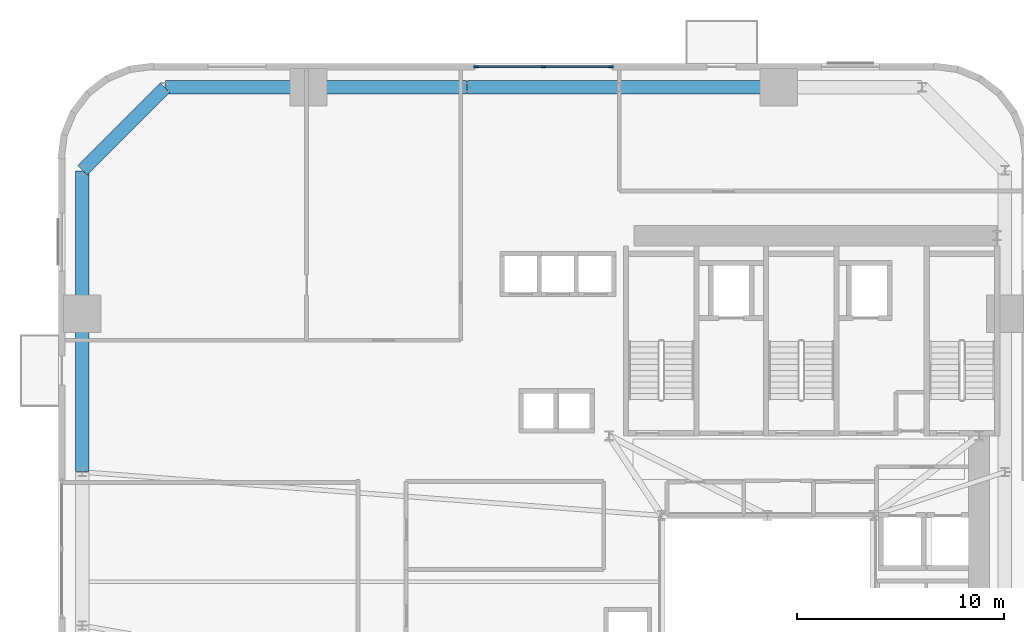
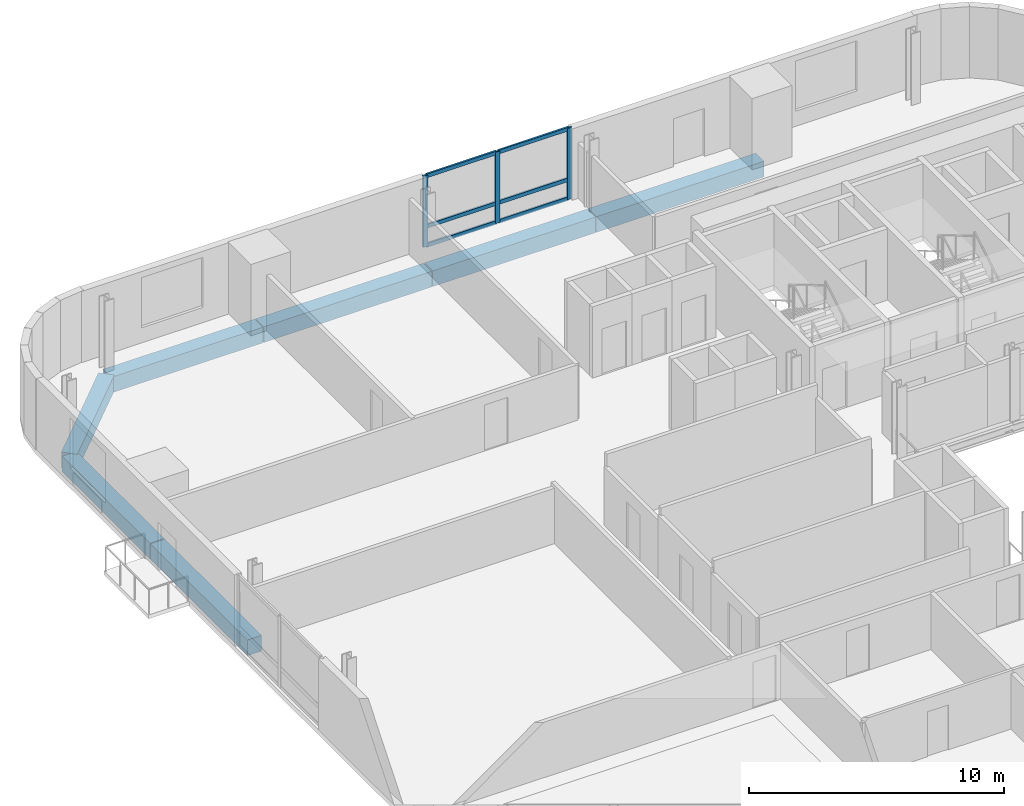
# One storey, part 4 of 11: 9 members, 7 beams, 1 element without a shape of its own.
"""IFC4 building model written with IfcOpenShell, lengths in metres."""

from ifc_helpers import new_model, si_unit, direction, frame, origin, origin_2d, place, context, subcontext, project, spatial, rectangle, extrude, source, transform, mapped, material, material_profile, profile_set, type_object, element, aggregate, save


model = new_model("IFC4")

# Units and contexts
model_context = context("Model", 3, precision=1e-05, world=origin(), true_north=direction((0.0, 1.0)))
body_context = subcontext(model_context, "Body", "Model", "MODEL_VIEW")
ifc_project = project(units=[si_unit("LENGTHUNIT", "METRE"), si_unit("AREAUNIT", "SQUARE_METRE"), si_unit("VOLUMEUNIT", "CUBIC_METRE"), si_unit("PLANEANGLEUNIT", "RADIAN"), si_unit("MASSUNIT", "GRAM", prefix="KILO")], contexts=[model_context])

# Site, building, storey
site_placement = place(None, origin())
site = spatial("IfcSite", under=ifc_project, at=site_placement, CompositionType="ELEMENT")
building_placement = place(site_placement, origin())
building = spatial("IfcBuilding", under=site, at=building_placement, Name="Vardaveli Station Tower", CompositionType="ELEMENT")
storey_placement = place(building_placement, frame((0.0, 0.0, 78.699951171875)))
storey = spatial("IfcBuildingStorey", under=building, at=storey_placement, Name="L20", CompositionType="ELEMENT", Elevation=78.699951171875)

# Beams
ifc_material_1 = material(Name="Precast concrete C45/55", Category="concrete")
ifc_material_profile_1 = material_profile(ifc_material_1, rectangle(XDim=0.64990234375, YDim=0.75, at=origin_2d()), Name="LPB 650x750")
ifc_profile_set_1 = profile_set([ifc_material_profile_1], Name="Precast concrete C45/55")
beam_type = type_object("IfcBeamType", Name="BM-LPB-750", PredefinedType="BEAM", material=ifc_profile_set_1)
shared_shape_1 = source(origin(), body_context, "Body", "SweptSolid", [
    extrude(rectangle(XDim=0.64990234375, YDim=0.75, at=origin_2d()), origin(), (0.0, 0.0, 1.0), 7.60009765625),
])
for number, where, z_axis, x_axis, name in (
    (1, (36.820068359375, 47.449951171875, -0.614990234375), (-1.0, 0.0, 0.0), (0.0, -1.0, 0.0), "RBM-L20-13"),
    (2, (21.780029296875, 47.449951171875, -0.614990234375), (-1.0, 0.0, 0.0), (0.0, -1.0, 0.0), "RBM-L20-15"),
    (3, (3.25, 36.52001953125, -0.614990234375), (0.0, -1.0, 0.0), (1.0, 0.0, 0.0), "RBM-L20-19"),
):
    element("IfcBeam", number, at=place(storey_placement, frame(where, z_axis=z_axis, x_axis=x_axis)), inside=storey, type_object=beam_type, Name=name, PredefinedType="BEAM", context=body_context, shape_type="MappedRepresentation", body=[
        mapped(shared_shape_1, transform((0.0, 0.0, 0.0), scale=1.0)),
    ])
shared_shape_2 = source(origin(), body_context, "Body", "SweptSolid", [
    extrude(rectangle(XDim=0.64990234375, YDim=0.75, at=origin_2d()), origin(), (0.0, 0.0, 1.0), 7.35986328125),
])
beam_1_placement = place(storey_placement, frame((29.179931640625, 47.449951171875, -0.614990234375), z_axis=(-1.0, 0.0, 0.0), x_axis=(0.0, -1.0, 0.0)))
element("IfcBeam", 4, at=beam_1_placement, inside=storey, type_object=beam_type, Name="RBM-L20-14", PredefinedType="BEAM", context=body_context, shape_type="MappedRepresentation", body=[
    mapped(shared_shape_2, transform((0.0, 0.0, 0.0), scale=1.0)),
])
shared_shape_3 = source(origin(), body_context, "Body", "SweptSolid", [
    extrude(rectangle(XDim=0.64990234375, YDim=0.75, at=origin_2d()), origin(), (0.0, 0.0, 1.0), 6.869873046875),
])
for number, where, z_axis, x_axis, name in (
    (5, (14.139892578125, 47.449951171875, -0.614990234375), (-1.0, 0.0, 0.0), (0.0, -1.0, 0.0), "RBM-L20-16"),
    (6, (3.25, 43.429931640625, -0.614990234375), (0.0, -1.0, 0.0), (1.0, 0.0, 0.0), "RBM-L20-18"),
):
    element("IfcBeam", number, at=place(storey_placement, frame(where, z_axis=z_axis, x_axis=x_axis)), inside=storey, type_object=beam_type, Name=name, PredefinedType="BEAM", context=body_context, shape_type="MappedRepresentation", body=[
        mapped(shared_shape_3, transform((0.0, 0.0, 0.0), scale=1.0)),
    ])
shared_shape_4 = source(origin(), body_context, "Body", "SweptSolid", [
    extrude(rectangle(XDim=0.64990234375, YDim=0.75, at=origin_2d()), origin(), (0.0, 0.0, 1.0), 5.61669921875),
])
beam_2_placement = place(storey_placement, frame((7.23583984375, 47.435791015625, -0.614990234375), z_axis=(-0.707106781187, -0.707106781187, 0.0), x_axis=(0.707106781187, -0.707106781187, 0.0)))
element("IfcBeam", 7, at=beam_2_placement, inside=storey, type_object=beam_type, Name="RBM-L20-17", PredefinedType="BEAM", context=body_context, shape_type="MappedRepresentation", body=[
    mapped(shared_shape_4, transform((0.0, 0.0, 0.0), scale=1.0)),
])

# Curtain wall, members
ifc_material_2 = material(Name="Travertine stone and solar-control glass", Category="masonry")
curtain_wall_type = type_object("IfcCurtainWallType", Name="CW-SYS-2", PredefinedType="NOTDEFINED", material=ifc_material_2)
curtain_wall_placement = place(storey_placement, origin())
curtain_wall = element("IfcCurtainWall", 8, at=curtain_wall_placement, inside=storey, type_object=curtain_wall_type, Name="CW-L20-N", PredefinedType="NOTDEFINED")
ifc_material_3 = material(Name="Anodised aluminium alloy 6063-T6", Category="aluminium")
ifc_material_profile_2 = material_profile(ifc_material_3, rectangle(XDim=0.0849609375, YDim=0.179931640625, at=origin_2d()), Name="CWT 85x180")
ifc_profile_set_2 = profile_set([ifc_material_profile_2], Name="Anodised aluminium alloy 6063-T6")
member_type_1 = type_object("IfcMemberType", Name="CW-SYS-2-TRAN", PredefinedType="NOTDEFINED", material=ifc_profile_set_2)
shared_shape_5 = source(origin(), body_context, "Body", "SweptSolid", [
    extrude(rectangle(XDim=0.0849609375, YDim=0.179931640625, at=origin_2d()), origin(), (0.0, 0.0, 1.0), 3.172607421875),
])
member_1_placement = place(storey_placement, frame((28.715087890625, 48.43994140625, 0.04248046875), z_axis=(-1.0, 0.0, 0.0), x_axis=(0.0, -1.0, 0.0)))
member_1 = element("IfcMember", 9, at=member_1_placement, type_object=member_type_1, Name="CW-2 transom 1.1", ObjectType="TRANSOM", PredefinedType="USERDEFINED", context=body_context, shape_type="MappedRepresentation", body=[
    mapped(shared_shape_5, transform((0.0, 0.0, 0.0), scale=1.0)),
])
member_2_placement = place(storey_placement, frame((28.715087890625, 48.43994140625, 0.949951171875), z_axis=(-1.0, 0.0, 0.0), x_axis=(0.0, -1.0, 0.0)))
member_2 = element("IfcMember", 10, at=member_2_placement, type_object=member_type_1, Name="CW-2 transom 1.2", ObjectType="TRANSOM", PredefinedType="USERDEFINED", context=body_context, shape_type="MappedRepresentation", body=[
    mapped(shared_shape_5, transform((0.0, 0.0, 0.0), scale=1.0)),
])
member_3_placement = place(storey_placement, frame((28.715087890625, 48.43994140625, 3.367431640625), z_axis=(-1.0, 0.0, 0.0), x_axis=(0.0, -1.0, 0.0)))
member_3 = element("IfcMember", 11, at=member_3_placement, type_object=member_type_1, Name="CW-2 transom 1.3", ObjectType="TRANSOM", PredefinedType="USERDEFINED", context=body_context, shape_type="MappedRepresentation", body=[
    mapped(shared_shape_5, transform((0.0, 0.0, 0.0), scale=1.0)),
])
member_4_placement = place(storey_placement, frame((25.45751953125, 48.43994140625, 0.04248046875), z_axis=(-1.0, 0.0, 0.0), x_axis=(0.0, -1.0, 0.0)))
member_4 = element("IfcMember", 12, at=member_4_placement, type_object=member_type_1, Name="CW-2 transom 2.1", ObjectType="TRANSOM", PredefinedType="USERDEFINED", context=body_context, shape_type="MappedRepresentation", body=[
    mapped(shared_shape_5, transform((0.0, 0.0, 0.0), scale=1.0)),
])
member_5_placement = place(storey_placement, frame((25.45751953125, 48.43994140625, 0.949951171875), z_axis=(-1.0, 0.0, 0.0), x_axis=(0.0, -1.0, 0.0)))
member_5 = element("IfcMember", 13, at=member_5_placement, type_object=member_type_1, Name="CW-2 transom 2.2", ObjectType="TRANSOM", PredefinedType="USERDEFINED", context=body_context, shape_type="MappedRepresentation", body=[
    mapped(shared_shape_5, transform((0.0, 0.0, 0.0), scale=1.0)),
])
member_6_placement = place(storey_placement, frame((25.45751953125, 48.43994140625, 3.367431640625), z_axis=(-1.0, 0.0, 0.0), x_axis=(0.0, -1.0, 0.0)))
member_6 = element("IfcMember", 14, at=member_6_placement, type_object=member_type_1, Name="CW-2 transom 2.3", ObjectType="TRANSOM", PredefinedType="USERDEFINED", context=body_context, shape_type="MappedRepresentation", body=[
    mapped(shared_shape_5, transform((0.0, 0.0, 0.0), scale=1.0)),
])
ifc_material_profile_3 = material_profile(ifc_material_3, rectangle(XDim=0.0849609375, YDim=0.219970703125, at=origin_2d()), Name="CWM 85x220")
ifc_profile_set_3 = profile_set([ifc_material_profile_3], Name="Anodised aluminium alloy 6063-T6")
member_type_2 = type_object("IfcMemberType", Name="CW-SYS-2-MULL", PredefinedType="MULLION", material=ifc_profile_set_3)
shared_shape_6 = source(origin(), body_context, "Body", "SweptSolid", [
    extrude(rectangle(XDim=0.0849609375, YDim=0.219970703125, at=origin_2d()), origin(), (0.0, 0.0, 1.0), 3.41015625),
])
member_7_placement = place(storey_placement, frame((28.757568359375, 48.43994140625, 0.0), z_axis=(0.0, 0.0, 1.0), x_axis=(0.0, -1.0, 0.0)))
member_7 = element("IfcMember", 15, at=member_7_placement, type_object=member_type_2, Name="CW-2 mullion 1", PredefinedType="MULLION", context=body_context, shape_type="MappedRepresentation", body=[
    mapped(shared_shape_6, transform((0.0, 0.0, 0.0), scale=1.0)),
])
member_8_placement = place(storey_placement, frame((25.5, 48.43994140625, 0.0), z_axis=(0.0, 0.0, 1.0), x_axis=(0.0, -1.0, 0.0)))
member_8 = element("IfcMember", 16, at=member_8_placement, type_object=member_type_2, Name="CW-2 mullion 2", PredefinedType="MULLION", context=body_context, shape_type="MappedRepresentation", body=[
    mapped(shared_shape_6, transform((0.0, 0.0, 0.0), scale=1.0)),
])
member_9_placement = place(storey_placement, frame((22.242431640625, 48.43994140625, 0.0), z_axis=(0.0, 0.0, 1.0), x_axis=(0.0, -1.0, 0.0)))
member_9 = element("IfcMember", 17, at=member_9_placement, type_object=member_type_2, Name="CW-2 mullion 3", PredefinedType="MULLION", context=body_context, shape_type="MappedRepresentation", body=[
    mapped(shared_shape_6, transform((0.0, 0.0, 0.0), scale=1.0)),
])
aggregate(curtain_wall, [member_7, member_8, member_9, member_1, member_2, member_3, member_4, member_5, member_6])

save(model, "model.ifc")
